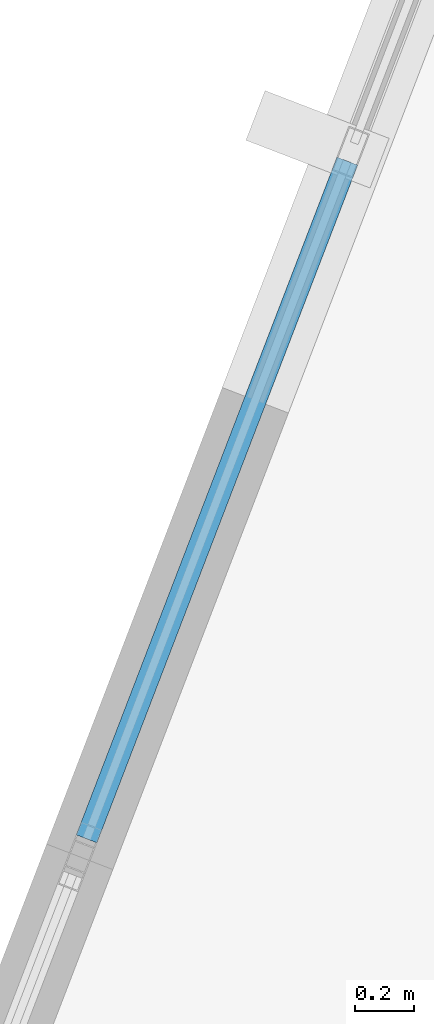
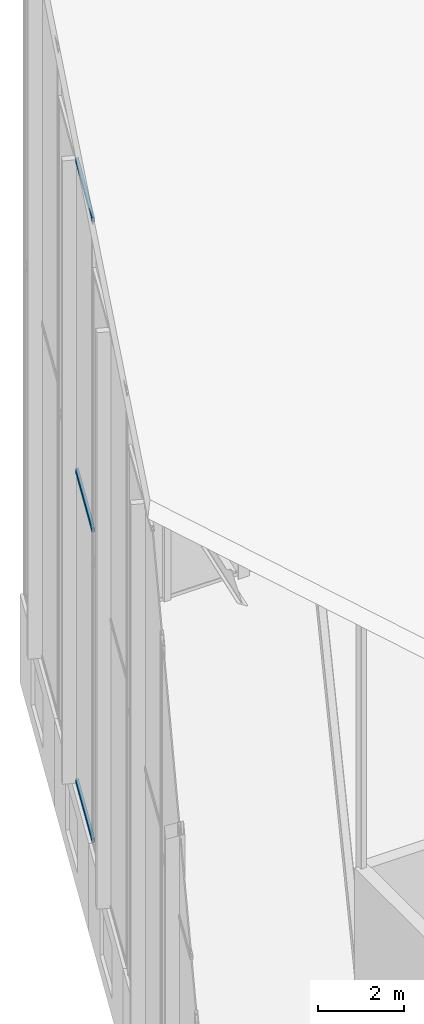
# One storey, part 28 of 74: 3 members, 1 element without a shape of its own.
"""IFC4 building model written with IfcOpenShell, lengths in metres."""

from ifc_helpers import new_model, si_unit, direction, frame, origin, origin_2d, place, context, subcontext, project, spatial, hollow_rectangle, extrude, material, layer, layer_set, material_profile, profile_set, type_object, element, aggregate, save


model = new_model("IFC4")

# Units and contexts
model_context = context("Model", 3, precision=1e-05, world=origin(), true_north=direction((0.0, 1.0)))
body_context = subcontext(model_context, "Body", "Model", "MODEL_VIEW")
ifc_project = project(units=[si_unit("LENGTHUNIT", "METRE"), si_unit("AREAUNIT", "SQUARE_METRE"), si_unit("VOLUMEUNIT", "CUBIC_METRE"), si_unit("PLANEANGLEUNIT", "RADIAN"), si_unit("MASSUNIT", "GRAM", prefix="KILO")], contexts=[model_context])

# Site, building, storey
site_placement = place(None, origin())
site = spatial("IfcSite", under=ifc_project, at=site_placement, CompositionType="ELEMENT")
building_placement = place(site_placement, origin())
building = spatial("IfcBuilding", under=site, at=building_placement, Name="Keshet Zoharim Tower", CompositionType="ELEMENT")
storey_placement = place(building_placement, frame((0.0, 0.0, 320.0)))
storey = spatial("IfcBuildingStorey", under=building, at=storey_placement, Name="RF", CompositionType="ELEMENT", Elevation=320.0)

# Curtain wall, members
ifc_material = material(Name="Aluminium 6063-T6", Category="aluminium")
ifc_layer = layer(ifc_material, 0.260009765625)
ifc_layer_set = layer_set([ifc_layer], Name="Aluminium 6063-T6")
curtain_wall_type = type_object("IfcCurtainWallType", Name="CW-SYS-06", PredefinedType="NOTDEFINED", material=ifc_layer_set)
curtain_wall_placement = place(storey_placement, origin())
curtain_wall = element("IfcCurtainWall", 1, at=curtain_wall_placement, inside=storey, type_object=curtain_wall_type, Name="Slanted Crown Curtain Wall 07", PredefinedType="NOTDEFINED")
ifc_material_profile = material_profile(ifc_material, hollow_rectangle(XDim=0.074951171875, YDim=0.1201171875, WallThickness=0.00390625, at=origin_2d()), Name="TRN-75x120")
ifc_profile_set = profile_set([ifc_material_profile], Name="Aluminium 6063-T6")
member_type = type_object("IfcMemberType", Name="CWT-T12", PredefinedType="USERDEFINED", material=ifc_profile_set)
member_1_placement = place(storey_placement, frame((10.8603515625, 43.13671875, 2.532470703125), z_axis=(0.359012353671, 0.933332807691, 0.0), x_axis=(-0.933332807691, 0.359012353671, 0.0)))
member_1 = element("IfcMember", 2, at=member_1_placement, type_object=member_type, Name="CW-06 transom 1.1", ObjectType="TRANSOM", PredefinedType="USERDEFINED", context=body_context, shape_type="SweptSolid", body=[
    extrude(hollow_rectangle(XDim=0.074951171875, YDim=0.1201171875, WallThickness=0.00390625, at=origin_2d()), origin(), (0.0, 0.0, 1.0), 2.458251953125),
])
member_2_placement = place(storey_placement, frame((10.8603515625, 43.13671875, 11.31689453125), z_axis=(0.359012353671, 0.933332807691, 0.0), x_axis=(-0.933332807691, 0.359012353671, 0.0)))
member_2 = element("IfcMember", 3, at=member_2_placement, type_object=member_type, Name="CW-06 transom 1.2", ObjectType="TRANSOM", PredefinedType="USERDEFINED", context=body_context, shape_type="SweptSolid", body=[
    extrude(hollow_rectangle(XDim=0.074951171875, YDim=0.1201171875, WallThickness=0.00390625, at=origin_2d()), origin(), (0.0, 0.0, 1.0), 2.458251953125),
])
member_3_placement = place(storey_placement, frame((10.8603515625, 43.13671875, 20.1015625), z_axis=(0.359012353671, 0.933332807691, 0.0), x_axis=(-0.933332807691, 0.359012353671, 0.0)))
member_3 = element("IfcMember", 4, at=member_3_placement, type_object=member_type, Name="CW-06 transom 1.3", ObjectType="TRANSOM", PredefinedType="USERDEFINED", context=body_context, shape_type="SweptSolid", body=[
    extrude(hollow_rectangle(XDim=0.074951171875, YDim=0.1201171875, WallThickness=0.00390625, at=origin_2d()), origin(), (0.0, 0.0, 1.0), 2.458251953125),
])
aggregate(curtain_wall, [member_1, member_2, member_3])

save(model, "model.ifc")
